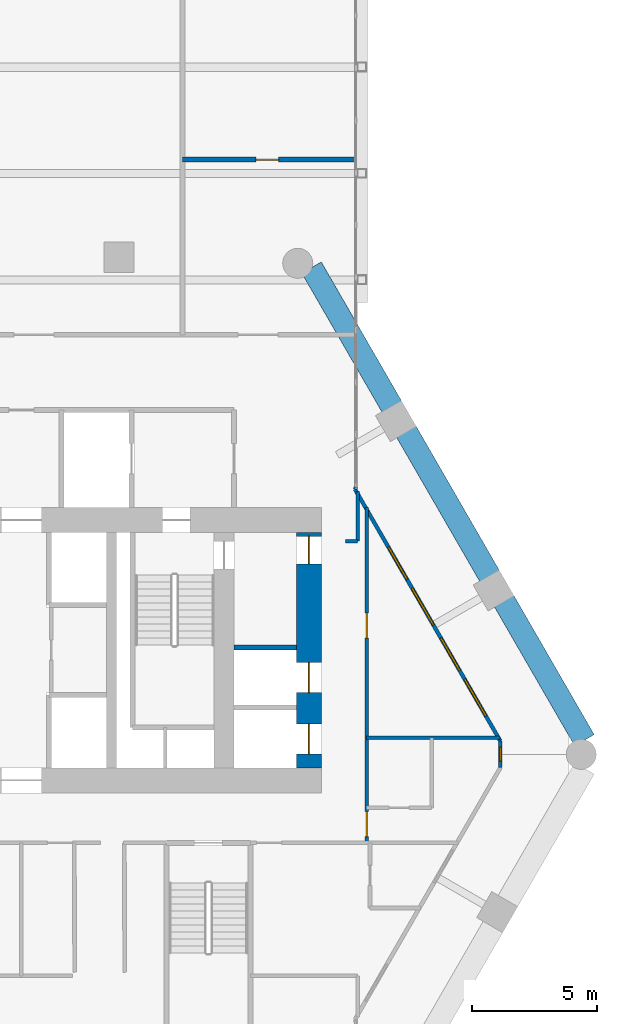
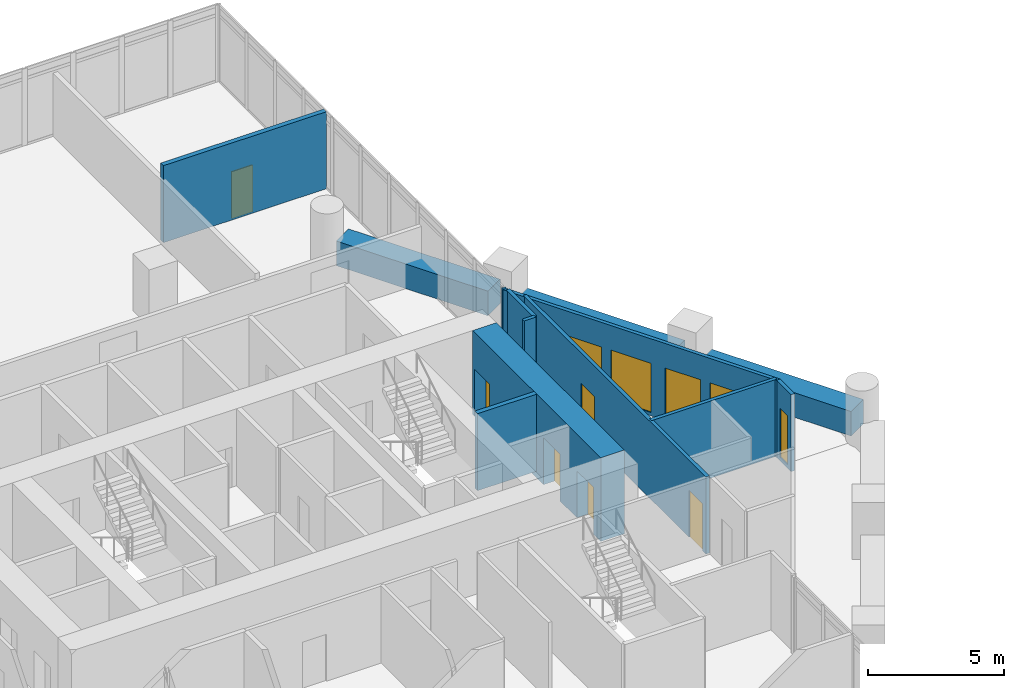
# One storey, part 33 of 37: 13 walls, 6 doors, 5 windows, 11 openings.
"""IFC4 building model written with IfcOpenShell, lengths in metres."""

from ifc_helpers import new_model, si_unit, direction, frame, frame_2d, origin, place, context, subcontext, project, spatial, rectangle, extrude, material, layer, layer_set, type_object, element, fill, save


model = new_model("IFC4")

# Units and contexts
model_context = context("Model", 3, precision=1e-05, world=origin(), true_north=direction((0.0, 1.0)))
body_context = subcontext(model_context, "Body", "Model", "MODEL_VIEW")
ifc_project = project(units=[si_unit("LENGTHUNIT", "METRE"), si_unit("AREAUNIT", "SQUARE_METRE"), si_unit("VOLUMEUNIT", "CUBIC_METRE"), si_unit("PLANEANGLEUNIT", "RADIAN"), si_unit("MASSUNIT", "GRAM", prefix="KILO")], contexts=[model_context])

# Site, building, storey
site_placement = place(None, origin())
site = spatial("IfcSite", under=ifc_project, at=site_placement, CompositionType="ELEMENT")
building_placement = place(site_placement, origin())
building = spatial("IfcBuilding", under=site, at=building_placement, Name="Ostrander Bayou Hotel Tower", CompositionType="ELEMENT")
storey_placement = place(building_placement, frame((0.0, 0.0, 93.0)))
storey = spatial("IfcBuildingStorey", under=building, at=storey_placement, Name="L23", CompositionType="ELEMENT", Elevation=93.0)

# Wall, openings, doors
ifc_material_1 = material(Name="Concrete f'c 70 MPa", Category="concrete")
ifc_layer_1 = layer(ifc_material_1, 1.0)
ifc_layer_set_1 = layer_set([ifc_layer_1], Name="CW4 core wall 1000 mm f'c 70 MPa")
wall_type_1 = type_object("IfcWallType", Name="CW4 core wall 1000 mm f'c 70 MPa", PredefinedType="SHEAR", material=ifc_layer_set_1)
wall_1_placement = place(storey_placement, frame((11.5, -0.699951171875, -0.300048828125), z_axis=(0.0, 0.0, 1.0), x_axis=(0.0, 1.0, 0.0)))
wall_1 = element("IfcWall", 1, at=wall_1_placement, inside=storey, type_object=wall_type_1, Name="CW4 L23 RE", PredefinedType="SHEAR", context=body_context, shape_type="SweptSolid", body=[
    extrude(rectangle(XDim=9.39990234375, YDim=1.0, at=frame_2d((4.699951171875, 0.0))), origin(), (0.0, 0.0, 1.0), 3.75),
])
opening_1_placement = place(wall_1_placement, frame((8.14990234375, 0.0, 0.0)))
opening_1 = element("IfcOpeningElement", 2, at=opening_1_placement, cuts=wall_1, Name="Opening T23-018", PredefinedType="OPENING", context=body_context, shape_type="SweptSolid", body=[
    extrude(rectangle(XDim=1.10009765625, YDim=2.10009765625, at=frame_2d((0.550048828125, 1.050048828125))), frame((0.0, 0.5, 0.0), z_axis=(0.0, -1.0, 0.0), x_axis=(1.0, 0.0, 0.0)), (0.0, 0.0, 1.0), 1.0),
])
opening_2_placement = place(wall_1_placement, frame((0.550048828125, 0.0, 0.0)))
opening_2 = element("IfcOpeningElement", 3, at=opening_2_placement, cuts=wall_1, Name="Opening T23-019", PredefinedType="OPENING", context=body_context, shape_type="SweptSolid", body=[
    extrude(rectangle(XDim=1.199951171875, YDim=2.10009765625, at=frame_2d((0.60009765625, 1.050048828125))), frame((0.0, 0.5, 0.0), z_axis=(0.0, -1.0, 0.0), x_axis=(1.0, 0.0, 0.0)), (0.0, 0.0, 1.0), 1.0),
])
opening_3_placement = place(wall_1_placement, frame((3.0, 0.0, 0.0)))
opening_3 = element("IfcOpeningElement", 4, at=opening_3_placement, cuts=wall_1, Name="Opening T23-020", PredefinedType="OPENING", context=body_context, shape_type="SweptSolid", body=[
    extrude(rectangle(XDim=1.199951171875, YDim=2.10009765625, at=frame_2d((0.60009765625, 1.050048828125))), frame((0.0, 0.5, 0.0), z_axis=(0.0, -1.0, 0.0), x_axis=(1.0, 0.0, 0.0)), (0.0, 0.0, 1.0), 1.0),
])
ifc_material_2 = material(Name="Timber door leaf", Category="wood")
door_type_1 = type_object("IfcDoorType", Name="D5 stair door 1100 x 2100 mm, 90 minute", OperationType="SINGLE_SWING_LEFT", PredefinedType="DOOR", material=ifc_material_2)
door_1_placement = place(opening_1_placement, origin())
door_1 = element("IfcDoor", 5, at=door_1_placement, inside=storey, type_object=door_type_1, Name="dr:L23:018", OperationType="SINGLE_SWING_RIGHT", OverallHeight=2.10009765625, OverallWidth=1.10009765625, PredefinedType="DOOR", context=body_context, shape_type="SweptSolid", body=[
    extrude(rectangle(XDim=1.10009765625, YDim=2.10009765625, at=frame_2d((0.550048828125, 1.050048828125))), frame((0.0, 0.02490234375, 0.0), z_axis=(0.0, -1.0, 0.0), x_axis=(1.0, 0.0, 0.0)), (0.0, 0.0, 1.0), 0.050048828125),
])
fill(opening_1, door_1)
ifc_material_3 = material(Name="Stainless steel sliding door", Category="steel")
door_type_2 = type_object("IfcDoorType", Name="LD1 lift landing door 1200 x 2100 mm", OperationType="SINGLE_SWING_LEFT", PredefinedType="DOOR", material=ifc_material_3)
door_2_placement = place(opening_2_placement, origin())
door_2 = element("IfcDoor", 6, at=door_2_placement, inside=storey, type_object=door_type_2, Name="dr:L23:019", OperationType="SLIDING_TO_LEFT", OverallHeight=2.10009765625, OverallWidth=1.199951171875, PredefinedType="DOOR", context=body_context, shape_type="SweptSolid", body=[
    extrude(rectangle(XDim=1.199951171875, YDim=2.10009765625, at=frame_2d((0.60009765625, 1.050048828125))), frame((0.0, 0.02490234375, 0.0), z_axis=(0.0, -1.0, 0.0), x_axis=(1.0, 0.0, 0.0)), (0.0, 0.0, 1.0), 0.050048828125),
])
fill(opening_2, door_2)
door_3_placement = place(opening_3_placement, origin())
door_3 = element("IfcDoor", 7, at=door_3_placement, inside=storey, type_object=door_type_2, Name="dr:L23:020", OperationType="SLIDING_TO_LEFT", OverallHeight=2.10009765625, OverallWidth=1.199951171875, PredefinedType="DOOR", context=body_context, shape_type="SweptSolid", body=[
    extrude(rectangle(XDim=1.199951171875, YDim=2.10009765625, at=frame_2d((0.60009765625, 1.050048828125))), frame((0.0, 0.02490234375, 0.0), z_axis=(0.0, -1.0, 0.0), x_axis=(1.0, 0.0, 0.0)), (0.0, 0.0, 1.0), 0.050048828125),
])
fill(opening_3, door_3)

# Wall, openings, windows
ifc_material_4 = material(Name="Aluminium framed insulated wall", Category="aluminium")
ifc_layer_2 = layer(ifc_material_4, 0.14990234375)
ifc_layer_set_2 = layer_set([ifc_layer_2], Name="GW1 glass-line wall 150 mm")
wall_type_2 = type_object("IfcWallType", Name="GW1 glass-line wall 150 mm", PredefinedType="SOLIDWALL", material=ifc_layer_set_2)
wall_2_placement = place(storey_placement, frame((19.141357421875, 0.368896484375, 0.0), z_axis=(0.0, 0.0, 1.0), x_axis=(-0.500002662854, 0.86602386638, 0.0)))
wall_2 = element("IfcWall", 8, at=wall_2_placement, inside=storey, type_object=wall_type_2, Name="GW1 L23 NE 1", PredefinedType="SOLIDWALL", context=body_context, shape_type="SweptSolid", body=[
    extrude(rectangle(XDim=11.61474609375, YDim=0.14990234375, at=frame_2d((5.807373046875, 0.0))), origin(), (0.0, 0.0, 1.0), 3.449951171875),
])
opening_4_placement = place(wall_2_placement, frame((1.1513671875, 0.0, 0.14990234375)))
opening_4 = element("IfcOpeningElement", 9, at=opening_4_placement, cuts=wall_2, Name="Opening W8", PredefinedType="OPENING", context=body_context, shape_type="SweptSolid", body=[
    extrude(rectangle(XDim=1.699951171875, YDim=2.199951171875, at=frame_2d((0.85009765625, 1.10009765625))), frame((0.0, 0.074951171875, 0.0), z_axis=(0.0, -1.0, 0.0), x_axis=(1.0, 0.0, 0.0)), (0.0, 0.0, 1.0), 0.14990234375),
])
opening_5_placement = place(wall_2_placement, frame((3.251220703125, 0.0, 0.14990234375)))
opening_5 = element("IfcOpeningElement", 10, at=opening_5_placement, cuts=wall_2, Name="Opening W12", PredefinedType="OPENING", context=body_context, shape_type="SweptSolid", body=[
    extrude(rectangle(XDim=1.5, YDim=2.199951171875, at=frame_2d((0.75, 1.10009765625))), frame((0.0, 0.074951171875, 0.0), z_axis=(0.0, -1.0, 0.0), x_axis=(1.0, 0.0, 0.0)), (0.0, 0.0, 1.0), 0.14990234375),
])
opening_6_placement = place(wall_2_placement, frame((5.351318359375, 0.0, 0.14990234375)))
opening_6 = element("IfcOpeningElement", 11, at=opening_6_placement, cuts=wall_2, Name="Opening W8", PredefinedType="OPENING", context=body_context, shape_type="SweptSolid", body=[
    extrude(rectangle(XDim=1.699951171875, YDim=2.199951171875, at=frame_2d((0.85009765625, 1.10009765625))), frame((0.0, 0.074951171875, 0.0), z_axis=(0.0, -1.0, 0.0), x_axis=(1.0, 0.0, 0.0)), (0.0, 0.0, 1.0), 0.14990234375),
])
opening_7_placement = place(wall_2_placement, frame((7.451416015625, 0.0, 0.14990234375)))
opening_7 = element("IfcOpeningElement", 12, at=opening_7_placement, cuts=wall_2, Name="Opening W12", PredefinedType="OPENING", context=body_context, shape_type="SweptSolid", body=[
    extrude(rectangle(XDim=1.5, YDim=2.199951171875, at=frame_2d((0.75, 1.10009765625))), frame((0.0, 0.074951171875, 0.0), z_axis=(0.0, -1.0, 0.0), x_axis=(1.0, 0.0, 0.0)), (0.0, 0.0, 1.0), 0.14990234375),
])
ifc_material_5 = material(Name="Aluminium and clear glass", Category="aluminium")
window_type_1 = type_object("IfcWindowType", Name="W12 fixed window 1500 mm, bath bay, zone 2", PartitioningType="SINGLE_PANEL", PredefinedType="WINDOW", material=ifc_material_5)
window_1_placement = place(opening_5_placement, origin())
window_1 = element("IfcWindow", 13, at=window_1_placement, inside=storey, type_object=window_type_1, Name="W12 L23 NE 1", OverallHeight=2.199951171875, OverallWidth=1.5, PartitioningType="SINGLE_PANEL", PredefinedType="WINDOW", context=body_context, shape_type="SweptSolid", body=[
    extrude(rectangle(XDim=1.5, YDim=2.199951171875, at=frame_2d((0.75, 1.10009765625))), frame((0.0, 0.030029296875, 0.0), z_axis=(0.0, -1.0, 0.0), x_axis=(1.0, 0.0, 0.0)), (0.0, 0.0, 1.0), 0.06005859375),
])
fill(opening_5, window_1)
window_2_placement = place(opening_7_placement, origin())
window_2 = element("IfcWindow", 14, at=window_2_placement, inside=storey, type_object=window_type_1, Name="W12 L23 NE 2", OverallHeight=2.199951171875, OverallWidth=1.5, PartitioningType="SINGLE_PANEL", PredefinedType="WINDOW", context=body_context, shape_type="SweptSolid", body=[
    extrude(rectangle(XDim=1.5, YDim=2.199951171875, at=frame_2d((0.75, 1.10009765625))), frame((0.0, 0.030029296875, 0.0), z_axis=(0.0, -1.0, 0.0), x_axis=(1.0, 0.0, 0.0)), (0.0, 0.0, 1.0), 0.06005859375),
])
fill(opening_7, window_2)
ifc_material_6 = material(Name="Aluminium and clear glass", Category="aluminium")
window_type_2 = type_object("IfcWindowType", Name="W8 fixed window 1700 mm, bar storeys, zone 2", PartitioningType="SINGLE_PANEL", PredefinedType="WINDOW", material=ifc_material_6)
window_3_placement = place(opening_4_placement, origin())
window_3 = element("IfcWindow", 15, at=window_3_placement, inside=storey, type_object=window_type_2, Name="W8 L23 NE 1", OverallHeight=2.199951171875, OverallWidth=1.699951171875, PartitioningType="SINGLE_PANEL", PredefinedType="WINDOW", context=body_context, shape_type="SweptSolid", body=[
    extrude(rectangle(XDim=1.699951171875, YDim=2.199951171875, at=frame_2d((0.85009765625, 1.10009765625))), frame((0.0, 0.030029296875, 0.0), z_axis=(0.0, -1.0, 0.0), x_axis=(1.0, 0.0, 0.0)), (0.0, 0.0, 1.0), 0.06005859375),
])
fill(opening_4, window_3)
window_4_placement = place(opening_6_placement, origin())
window_4 = element("IfcWindow", 16, at=window_4_placement, inside=storey, type_object=window_type_2, Name="W8 L23 NE 2", OverallHeight=2.199951171875, OverallWidth=1.699951171875, PartitioningType="SINGLE_PANEL", PredefinedType="WINDOW", context=body_context, shape_type="SweptSolid", body=[
    extrude(rectangle(XDim=1.699951171875, YDim=2.199951171875, at=frame_2d((0.85009765625, 1.10009765625))), frame((0.0, 0.030029296875, 0.0), z_axis=(0.0, -1.0, 0.0), x_axis=(1.0, 0.0, 0.0)), (0.0, 0.0, 1.0), 0.06005859375),
])
fill(opening_6, window_4)

# Wall, opening, window
wall_3_placement = place(storey_placement, frame((19.141357421875, -0.6962890625, 0.0), z_axis=(0.0, 0.0, 1.0), x_axis=(0.0, 1.0, 0.0)))
wall_3 = element("IfcWall", 17, at=wall_3_placement, inside=storey, type_object=wall_type_2, Name="GW1 L23 corner 5", PredefinedType="SOLIDWALL", context=body_context, shape_type="SweptSolid", body=[
    extrude(rectangle(XDim=1.065185546875, YDim=0.14990234375, at=frame_2d((0.53271484375, 0.0))), origin(), (0.0, 0.0, 1.0), 3.449951171875),
])
opening_8_placement = place(wall_3_placement, frame((0.257568359375, 0.0, 0.14990234375)))
opening_8 = element("IfcOpeningElement", 18, at=opening_8_placement, cuts=wall_3, Name="Opening W19", PredefinedType="OPENING", context=body_context, shape_type="SweptSolid", body=[
    extrude(rectangle(XDim=0.550048828125, YDim=2.199951171875, at=frame_2d((0.27490234375, 1.10009765625))), frame((0.0, 0.074951171875, 0.0), z_axis=(0.0, -1.0, 0.0), x_axis=(1.0, 0.0, 0.0)), (0.0, 0.0, 1.0), 0.14990234375),
])
ifc_material_7 = material(Name="Aluminium and clear glass", Category="aluminium")
window_type_3 = type_object("IfcWindowType", Name="W19 corner window 550 mm", PartitioningType="SINGLE_PANEL", PredefinedType="WINDOW", material=ifc_material_7)
window_5_placement = place(opening_8_placement, origin())
window_5 = element("IfcWindow", 19, at=window_5_placement, inside=storey, type_object=window_type_3, Name="W19 L23 corner 5", OverallHeight=2.199951171875, OverallWidth=0.550048828125, PartitioningType="SINGLE_PANEL", PredefinedType="WINDOW", context=body_context, shape_type="SweptSolid", body=[
    extrude(rectangle(XDim=0.550048828125, YDim=2.199951171875, at=frame_2d((0.27490234375, 1.10009765625))), frame((0.0, 0.030029296875, 0.0), z_axis=(0.0, -1.0, 0.0), x_axis=(1.0, 0.0, 0.0)), (0.0, 0.0, 1.0), 0.06005859375),
])
fill(opening_8, window_5)

# Walls
wall_4_placement = place(storey_placement, frame((13.333984375, 10.427490234375, 0.0), z_axis=(0.0, 0.0, 1.0), x_axis=(0.337751931921, 0.941235163221, 0.0)))
element("IfcWall", 20, at=wall_4_placement, inside=storey, type_object=wall_type_2, Name="GW1 L23 bar joint 4", PredefinedType="SOLIDWALL", context=body_context, shape_type="SweptSolid", body=[
    extrude(rectangle(XDim=0.098388671875, YDim=0.14990234375, at=frame_2d((0.04931640625, 0.0))), origin(), (0.0, 0.0, 1.0), 3.449951171875),
])
ifc_material_8 = material(Name="Concrete f'c 40 MPa", Category="concrete")
ifc_layer_3 = layer(ifc_material_8, 0.89990234375)
ifc_layer_set_3 = layer_set([ifc_layer_3], Name="PA1 stone-faced parapet 900 mm")
wall_type_3 = type_object("IfcWallType", Name="PA1 stone-faced parapet 900 mm", PredefinedType="PARAPET", material=ifc_layer_set_3)
wall_5_placement = place(storey_placement, frame((22.5009765625, 0.39990234375, 0.0), z_axis=(0.0, 0.0, 1.0), x_axis=(-0.500011789842, 0.866018596809, 0.0)))
element("IfcWall", 21, at=wall_5_placement, inside=storey, type_object=wall_type_3, Name="PA1 L23 NE-1", PredefinedType="PARAPET", context=body_context, shape_type="SweptSolid", body=[
    extrude(rectangle(XDim=6.427490234375, YDim=0.89990234375, at=frame_2d((3.2138671875, 0.0))), origin(), (0.0, 0.0, 1.0), 1.10009765625),
])
wall_6_placement = place(storey_placement, frame((18.71728515625, 6.95361328125, 0.0), z_axis=(0.0, 0.0, 1.0), x_axis=(-0.499999023957, 0.866025967302, 0.0)))
element("IfcWall", 22, at=wall_6_placement, inside=storey, type_object=wall_type_3, Name="PA1 L23 NE-2", PredefinedType="PARAPET", context=body_context, shape_type="SweptSolid", body=[
    extrude(rectangle(XDim=6.67333984375, YDim=0.89990234375, at=frame_2d((3.336669921875, 0.0))), origin(), (0.0, 0.0, 1.0), 1.10009765625),
])
wall_7_placement = place(storey_placement, frame((14.810546875, 13.72021484375, 0.0), z_axis=(0.0, 0.0, 1.0), x_axis=(-0.50002823779, 0.866009100075, 0.0)))
element("IfcWall", 23, at=wall_7_placement, inside=storey, type_object=wall_type_3, Name="PA1 L23 NE-3", PredefinedType="PARAPET", context=body_context, shape_type="SweptSolid", body=[
    extrude(rectangle(XDim=6.427490234375, YDim=0.89990234375, at=frame_2d((3.2138671875, 0.0))), origin(), (0.0, 0.0, 1.0), 1.10009765625),
])

# Wall, opening, door
ifc_material_9 = material(Name="Gypsum board partition", Category="finish")
ifc_layer_4 = layer(ifc_material_9, 0.199951171875)
ifc_layer_set_4 = layer_set([ifc_layer_4], Name="PT3 demising wall 200 mm acoustic double stud, 1 hour")
wall_type_4 = type_object("IfcWallType", Name="PT3 demising wall 200 mm acoustic double stud, 1 hour", PredefinedType="PARTITIONING", material=ifc_layer_set_4)
wall_8_placement = place(storey_placement, frame((6.442138671875, 23.60009765625, 0.0), z_axis=(0.0, 0.0, 1.0), x_axis=(1.0, 0.0, 0.0)))
wall_8 = element("IfcWall", 24, at=wall_8_placement, inside=storey, type_object=wall_type_4, Name="sw:L23:504", PredefinedType="PARTITIONING", context=body_context, shape_type="SweptSolid", body=[
    extrude(rectangle(XDim=6.906005859375, YDim=0.199951171875, at=frame_2d((3.453125, 0.0))), origin(), (0.0, 0.0, 1.0), 3.449951171875),
])
opening_9_placement = place(wall_8_placement, frame((2.93505859375, 0.0, 0.0)))
opening_9 = element("IfcOpeningElement", 25, at=opening_9_placement, cuts=wall_8, Name="Opening T23-1206", PredefinedType="OPENING", context=body_context, shape_type="SweptSolid", body=[
    extrude(rectangle(XDim=0.89990234375, YDim=2.10009765625, at=frame_2d((0.449951171875, 1.050048828125))), frame((0.0, 0.10009765625, 0.0), z_axis=(0.0, -1.0, 0.0), x_axis=(1.0, 0.0, 0.0)), (0.0, 0.0, 1.0), 0.199951171875),
])
ifc_material_10 = material(Name="Timber door leaf", Category="wood")
door_type_3 = type_object("IfcDoorType", Name="D8 room door 900 x 2100 mm", OperationType="SINGLE_SWING_LEFT", PredefinedType="DOOR", material=ifc_material_10)
door_4_placement = place(opening_9_placement, origin())
door_4 = element("IfcDoor", 26, at=door_4_placement, inside=storey, type_object=door_type_3, Name="dr:L23:1206", OperationType="SINGLE_SWING_RIGHT", OverallHeight=2.10009765625, OverallWidth=0.89990234375, PredefinedType="DOOR", context=body_context, shape_type="SweptSolid", body=[
    extrude(rectangle(XDim=0.89990234375, YDim=2.10009765625, at=frame_2d((0.449951171875, 1.050048828125))), frame((0.0, 0.02490234375, 0.0), z_axis=(0.0, -1.0, 0.0), x_axis=(1.0, 0.0, 0.0)), (0.0, 0.0, 1.0), 0.050048828125),
])
fill(opening_9, door_4)

# Walls
ifc_material_11 = material(Name="Masonry block", Category="masonry")
ifc_layer_5 = layer(ifc_material_11, 0.199951171875)
ifc_layer_set_5 = layer_set([ifc_layer_5], Name="PT6 lift shaft wall 200 mm masonry, 2 hour")
wall_type_5 = type_object("IfcWallType", Name="PT6 lift shaft wall 200 mm masonry, 2 hour", PredefinedType="PARTITIONING", material=ifc_layer_set_5)
wall_9_placement = place(storey_placement, frame((8.5, 4.10009765625, 0.0), z_axis=(0.0, 0.0, 1.0), x_axis=(1.0, 0.0, 0.0)))
element("IfcWall", 27, at=wall_9_placement, inside=storey, type_object=wall_type_5, Name="cs:L23:034", PredefinedType="PARTITIONING", context=body_context, shape_type="SweptSolid", body=[
    extrude(rectangle(XDim=2.5, YDim=0.199951171875, at=frame_2d((1.25, 0.0))), origin(), (0.0, 0.0, 1.0), 3.449951171875),
])
ifc_material_12 = material(Name="Gypsum board partition", Category="finish")
ifc_layer_6 = layer(ifc_material_12, 0.14990234375)
ifc_layer_set_6 = layer_set([ifc_layer_6], Name="PT8 service band wall 150 mm, 1 hour")
wall_type_6 = type_object("IfcWallType", Name="PT8 service band wall 150 mm, 1 hour", PredefinedType="PARTITIONING", material=ifc_layer_set_6)
wall_10_placement = place(storey_placement, frame((13.800048828125, 0.5, 0.0), z_axis=(0.0, 0.0, 1.0), x_axis=(1.0, 0.0, 0.0)))
element("IfcWall", 28, at=wall_10_placement, inside=storey, type_object=wall_type_6, Name="gw:L23:012", PredefinedType="PARTITIONING", context=body_context, shape_type="SweptSolid", body=[
    extrude(rectangle(XDim=5.31787109375, YDim=0.14990234375, at=frame_2d((2.658935546875, 0.0))), origin(), (0.0, 0.0, 1.0), 3.449951171875),
])
wall_11_placement = place(storey_placement, frame((12.949951171875, 8.35498046875, 0.0), z_axis=(0.0, 0.0, 1.0), x_axis=(1.0, 0.0, 0.0)))
element("IfcWall", 29, at=wall_11_placement, inside=storey, type_object=wall_type_6, Name="gw:L23:015", PredefinedType="PARTITIONING", context=body_context, shape_type="SweptSolid", body=[
    extrude(rectangle(XDim=0.489990234375, YDim=0.14990234375, at=frame_2d((0.2451171875, 0.0))), origin(), (0.0, 0.0, 1.0), 3.449951171875),
])

# Wall, openings, doors
wall_12_placement = place(storey_placement, frame((13.800048828125, -3.699951171875, 0.0), z_axis=(0.0, 0.0, 1.0), x_axis=(0.0, 1.0, 0.0)))
wall_12 = element("IfcWall", 30, at=wall_12_placement, inside=storey, type_object=wall_type_6, Name="gw:L23:018", PredefinedType="PARTITIONING", context=body_context, shape_type="SweptSolid", body=[
    extrude(rectangle(XDim=13.409912109375, YDim=0.14990234375, at=frame_2d((6.705078125, 0.0))), origin(), (0.0, 0.0, 1.0), 3.449951171875),
])
opening_10_placement = place(wall_12_placement, frame((0.25, 0.0, 0.0)))
opening_10 = element("IfcOpeningElement", 31, at=opening_10_placement, cuts=wall_12, Name="Opening T23-409", PredefinedType="OPENING", context=body_context, shape_type="SweptSolid", body=[
    extrude(rectangle(XDim=1.0, YDim=2.10009765625, at=frame_2d((0.5, 1.050048828125))), frame((0.0, 0.074951171875, 0.0), z_axis=(0.0, -1.0, 0.0), x_axis=(1.0, 0.0, 0.0)), (0.0, 0.0, 1.0), 0.14990234375),
])
opening_11_placement = place(wall_12_placement, frame((8.18310546875, 0.0, 0.0)))
opening_11 = element("IfcOpeningElement", 32, at=opening_11_placement, cuts=wall_12, Name="Opening T23-411", PredefinedType="OPENING", context=body_context, shape_type="SweptSolid", body=[
    extrude(rectangle(XDim=1.0, YDim=2.10009765625, at=frame_2d((0.5, 1.050048828125))), frame((0.0, 0.074951171875, 0.0), z_axis=(0.0, -1.0, 0.0), x_axis=(1.0, 0.0, 0.0)), (0.0, 0.0, 1.0), 0.14990234375),
])
ifc_material_13 = material(Name="Timber door leaf", Category="wood")
door_type_4 = type_object("IfcDoorType", Name="D1 guest room door 1000 x 2100 mm, 30 minute", OperationType="SINGLE_SWING_LEFT", PredefinedType="DOOR", material=ifc_material_13)
door_5_placement = place(opening_10_placement, origin())
door_5 = element("IfcDoor", 33, at=door_5_placement, inside=storey, type_object=door_type_4, Name="dr:L23:409", OperationType="SINGLE_SWING_LEFT", OverallHeight=2.10009765625, OverallWidth=1.0, PredefinedType="DOOR", context=body_context, shape_type="SweptSolid", body=[
    extrude(rectangle(XDim=1.0, YDim=2.10009765625, at=frame_2d((0.5, 1.050048828125))), frame((0.0, 0.02490234375, 0.0), z_axis=(0.0, -1.0, 0.0), x_axis=(1.0, 0.0, 0.0)), (0.0, 0.0, 1.0), 0.050048828125),
])
fill(opening_10, door_5)
ifc_material_14 = material(Name="Timber door leaf", Category="wood")
door_type_5 = type_object("IfcDoorType", Name="D9 service door 1000 x 2100 mm, 30 minute", OperationType="SINGLE_SWING_LEFT", PredefinedType="DOOR", material=ifc_material_14)
door_6_placement = place(opening_11_placement, origin())
door_6 = element("IfcDoor", 34, at=door_6_placement, inside=storey, type_object=door_type_5, Name="dr:L23:411", OperationType="SINGLE_SWING_LEFT", OverallHeight=2.10009765625, OverallWidth=1.0, PredefinedType="DOOR", context=body_context, shape_type="SweptSolid", body=[
    extrude(rectangle(XDim=1.0, YDim=2.10009765625, at=frame_2d((0.5, 1.050048828125))), frame((0.0, 0.02490234375, 0.0), z_axis=(0.0, -1.0, 0.0), x_axis=(1.0, 0.0, 0.0)), (0.0, 0.0, 1.0), 0.050048828125),
])
fill(opening_11, door_6)

# Wall
wall_13_placement = place(storey_placement, frame((13.43994140625, 8.35498046875, 0.0), z_axis=(0.0, 0.0, 1.0), x_axis=(0.0, 1.0, 0.0)))
element("IfcWall", 35, at=wall_13_placement, inside=storey, type_object=wall_type_6, Name="gw:L23:020", PredefinedType="PARTITIONING", context=body_context, shape_type="SweptSolid", body=[
    extrude(rectangle(XDim=1.97900390625, YDim=0.14990234375, at=frame_2d((0.989501953125, 0.0))), origin(), (0.0, 0.0, 1.0), 3.449951171875),
])

save(model, "model.ifc")
